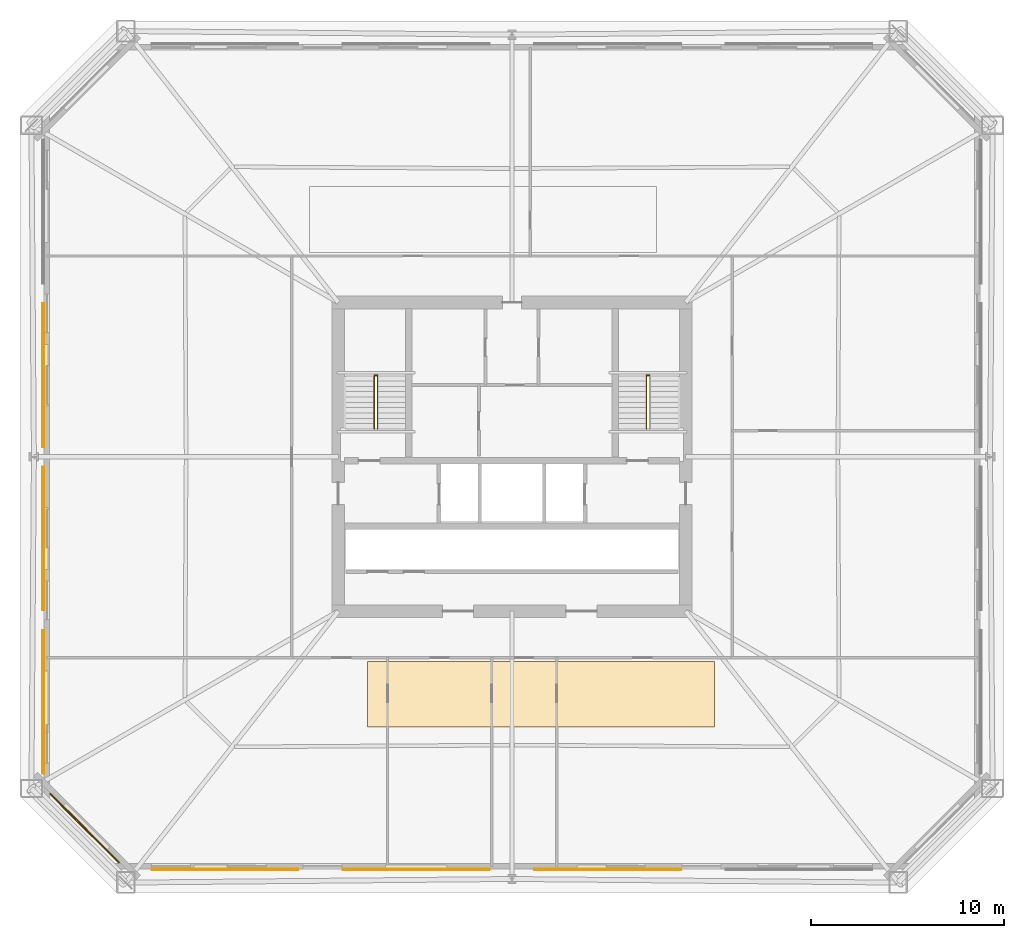
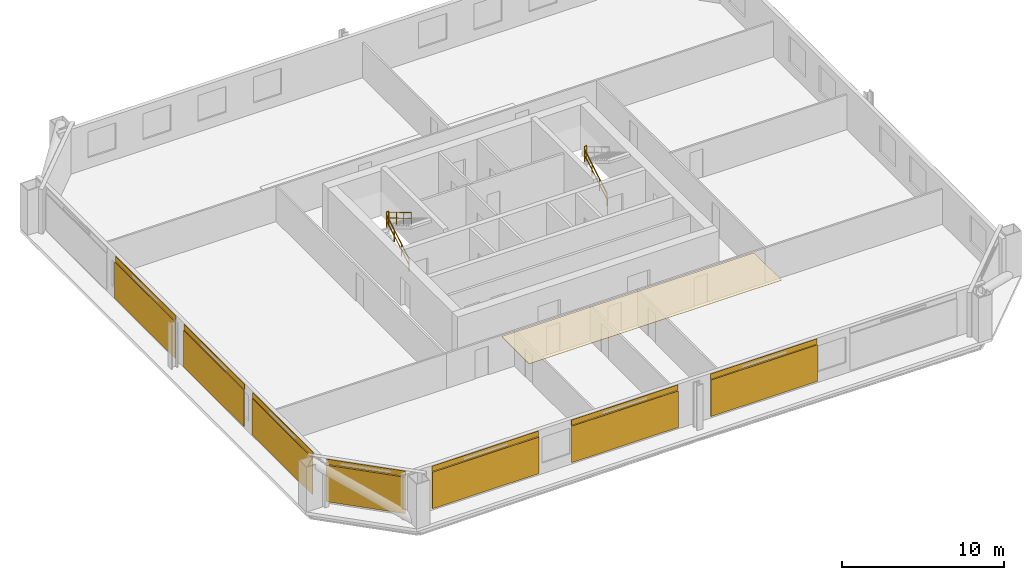
# One storey, part 8 of 9: 8 coverings, 7 shading devices, 5 railings.
"""IFC4 building model written with IfcOpenShell, lengths in metres."""

from ifc_helpers import new_model, si_unit, direction, frame, origin, origin_2d, place, context, subcontext, project, spatial, polyline, rectangle, circle, outline, extrude, material, layer, layer_set, type_object, element, save


model = new_model("IFC4")

# Units and contexts
model_context = context("Model", 3, precision=1e-05, world=origin(), true_north=direction((0.0, 1.0)))
body_context = subcontext(model_context, "Body", "Model", "MODEL_VIEW")
ifc_project = project(units=[si_unit("LENGTHUNIT", "METRE"), si_unit("AREAUNIT", "SQUARE_METRE"), si_unit("VOLUMEUNIT", "CUBIC_METRE"), si_unit("PLANEANGLEUNIT", "RADIAN"), si_unit("MASSUNIT", "GRAM", prefix="KILO")], contexts=[model_context])

# Site, building, storey
site_placement = place(None, origin())
site = spatial("IfcSite", under=ifc_project, at=site_placement, CompositionType="ELEMENT")
building_placement = place(site_placement, origin())
building = spatial("IfcBuilding", under=site, at=building_placement, Name="Caelvoria Tower", CompositionType="ELEMENT")
storey_placement = place(building_placement, frame((0.0, 0.0, 53.199951171875)))
storey = spatial("IfcBuildingStorey", under=building, at=storey_placement, Name="L13", CompositionType="ELEMENT", Elevation=53.199951171875)

# Coverings
ifc_material_1 = material(Name="Acoustic Mineral Fibre Tile", Category="gypsum")
ifc_layer_1 = layer(ifc_material_1, 0.02490234375, Name="Acoustic Mineral Fibre Tile")
ifc_layer_set_1 = layer_set([ifc_layer_1], Name="Mineral-Fibre Acoustic Suspended Ceiling 25 - Acoustic Mineral Fibre Tile")
covering_type_1 = type_object("IfcCoveringType", Name="Mineral-Fibre Acoustic Suspended Ceiling 25", PredefinedType="CEILING", material=ifc_layer_set_1)
covering_1_placement = place(storey_placement, frame((0.0, 0.0, 2.635009765625)))
element("IfcCovering", 1, at=covering_1_placement, inside=storey, type_object=covering_type_1, Name="Suspended Acoustic Ceiling L13", PredefinedType="CEILING", context=body_context, shape_type="SweptSolid", body=[
    extrude(outline(polyline([(38.5, 18.0), (56.5, 18.0), (56.5, 21.39990234375), (38.5, 21.39990234375), (38.5, 18.0)])), origin(), (0.0, 0.0, 1.0), 0.025146484375),
])
ifc_material_2 = material(Name="Perforated Architectural Bronze Cladding Screen", Category="bronze")
ifc_layer_2 = layer(ifc_material_2, 0.0400390625, Name="Perforated Architectural Bronze Cladding Screen")
ifc_layer_set_2 = layer_set([ifc_layer_2], Name="Perforated Bronze Louvre Cladding Band 40 - Perforated Architectural Bronze Cladding Screen")
covering_type_2 = type_object("IfcCoveringType", Name="Perforated Bronze Louvre Cladding Band 40", PredefinedType="CLADDING", material=ifc_layer_set_2)
for number, where, z_axis, x_axis, name in (
    (2, (31.1201171875, 10.6279296875, 2.940185546875), (0.0, 0.0, 1.0), (1.0, 0.0, 0.0), "Perforated Bronze Screen Band L13-E0-00"),
    (3, (41.0400390625, 10.6279296875, 2.940185546875), (0.0, 0.0, 1.0), (1.0, 0.0, 0.0), "Perforated Bronze Screen Band L13-E0-01"),
    (4, (50.9599609375, 10.6279296875, 2.940185546875), (0.0, 0.0, 1.0), (1.0, 0.0, 0.0), "Perforated Bronze Screen Band L13-E0-02"),
):
    element("IfcCovering", number, at=place(storey_placement, frame(where, z_axis=z_axis, x_axis=x_axis)), inside=storey, type_object=covering_type_2, Name=name, PredefinedType="CLADDING", context=body_context, shape_type="SweptSolid", body=[
        extrude(rectangle(XDim=7.60009765625, YDim=0.0400390625, at=origin_2d()), origin(), (0.0, 0.0, 1.0), 0.39990234375),
    ])
for number, where, z_axis, x_axis, name in (
    (5, (21.72802734375, 36.235107421875, 2.940185546875), (0.0, 0.0, 1.0), (0.0, -1.0, 0.0), "Perforated Bronze Screen Band L13-E6-01"),
    (6, (21.72802734375, 27.764892578125, 2.940185546875), (0.0, 0.0, 1.0), (0.0, -1.0, 0.0), "Perforated Bronze Screen Band L13-E6-02"),
    (7, (21.72802734375, 19.294921875, 2.940185546875), (0.0, 0.0, 1.0), (0.0, -1.0, 0.0), "Perforated Bronze Screen Band L13-E6-03"),
):
    element("IfcCovering", number, at=place(storey_placement, frame(where, z_axis=z_axis, x_axis=x_axis)), inside=storey, type_object=covering_type_2, Name=name, PredefinedType="CLADDING", context=body_context, shape_type="SweptSolid", body=[
        extrude(rectangle(XDim=7.45361328125, YDim=0.0400390625, at=origin_2d()), origin(), (0.0, 0.0, 1.0), 0.39990234375),
    ])
covering_2_placement = place(storey_placement, frame((23.868408203125, 12.768310546875, 2.940185546875), z_axis=(0.0, 0.0, 1.0), x_axis=(0.707106781187, -0.707106781187, 0.0)))
element("IfcCovering", 8, at=covering_2_placement, inside=storey, type_object=covering_type_2, Name="Perforated Bronze Screen Band L13-E7-00", PredefinedType="CLADDING", context=body_context, shape_type="SweptSolid", body=[
    extrude(rectangle(XDim=5.060791015625, YDim=0.0400390625, at=origin_2d()), origin(), (0.0, 0.0, 1.0), 0.39990234375),
])

# Shading devices
ifc_material_3 = material(Name="Perforated Architectural Bronze Alloy Panel", Category="bronze")
ifc_layer_3 = layer(ifc_material_3, 0.044921875, Name="Perforated Architectural Bronze Alloy Panel")
ifc_layer_set_3 = layer_set([ifc_layer_3], Name="Perforated Bronze Solar Screen Panel SCREEN - Perforated Architectural Bronze Alloy Panel")
shading_device_type = type_object("IfcShadingDeviceType", Name="Perforated Bronze Solar Screen Panel SCREEN", PredefinedType="USERDEFINED", material=ifc_layer_set_3)
for number, where, z_axis, x_axis, name in (
    (9, (31.1201171875, 10.5849609375, 0.16015625), (0.0, 0.0, 1.0), (1.0, 0.0, 0.0), "Perforated Bronze Solar Screen L13-E0-00"),
    (10, (41.0400390625, 10.5849609375, 0.16015625), (0.0, 0.0, 1.0), (1.0, 0.0, 0.0), "Perforated Bronze Solar Screen L13-E0-01"),
    (11, (50.9599609375, 10.5849609375, 0.16015625), (0.0, 0.0, 1.0), (1.0, 0.0, 0.0), "Perforated Bronze Solar Screen L13-E0-02"),
):
    element("IfcShadingDevice", number, at=place(storey_placement, frame(where, z_axis=z_axis, x_axis=x_axis)), inside=storey, type_object=shading_device_type, Name=name, ObjectType="SCREEN", PredefinedType="USERDEFINED", context=body_context, shape_type="SweptSolid", body=[
        extrude(rectangle(XDim=7.60009765625, YDim=0.044921875, at=origin_2d()), origin(), (0.0, 0.0, 1.0), 2.75),
    ])
for number, where, z_axis, x_axis, name in (
    (12, (21.68505859375, 36.235107421875, 0.16015625), (0.0, 0.0, 1.0), (0.0, -1.0, 0.0), "Perforated Bronze Solar Screen L13-E6-01"),
    (13, (21.68505859375, 27.764892578125, 0.16015625), (0.0, 0.0, 1.0), (0.0, -1.0, 0.0), "Perforated Bronze Solar Screen L13-E6-02"),
    (14, (21.68505859375, 19.294921875, 0.16015625), (0.0, 0.0, 1.0), (0.0, -1.0, 0.0), "Perforated Bronze Solar Screen L13-E6-03"),
):
    element("IfcShadingDevice", number, at=place(storey_placement, frame(where, z_axis=z_axis, x_axis=x_axis)), inside=storey, type_object=shading_device_type, Name=name, ObjectType="SCREEN", PredefinedType="USERDEFINED", context=body_context, shape_type="SweptSolid", body=[
        extrude(rectangle(XDim=7.45361328125, YDim=0.044921875, at=origin_2d()), origin(), (0.0, 0.0, 1.0), 2.75),
    ])
shading_device_placement = place(storey_placement, frame((23.837890625, 12.73779296875, 0.16015625), z_axis=(0.0, 0.0, 1.0), x_axis=(0.707106781187, -0.707106781187, 0.0)))
element("IfcShadingDevice", 15, at=shading_device_placement, inside=storey, type_object=shading_device_type, Name="Perforated Bronze Solar Screen L13-E7-00", ObjectType="SCREEN", PredefinedType="USERDEFINED", context=body_context, shape_type="SweptSolid", body=[
    extrude(rectangle(XDim=5.060791015625, YDim=0.044921875, at=origin_2d()), origin(), (0.0, 0.0, 1.0), 2.75),
])

# Railings
ifc_material_4 = material(Name="Brushed Stainless Steel Tube", Category="steel")
railing_type_1 = type_object("IfcRailingType", Name="Stair Tubular Stainless Handrail 920", PredefinedType="HANDRAIL", material=ifc_material_4)
railing_1_placement = place(storey_placement, frame((38.8701171875, 33.449951171875, 0.16357421875)))
element("IfcRailing", 16, at=railing_1_placement, inside=storey, type_object=railing_type_1, Name="ST-01 Flight 1 Handrail L13", PredefinedType="HANDRAIL", context=body_context, shape_type="SweptSolid", body=[
    extrude(circle(Radius=0.02392578125, at=origin_2d()), frame((0.0, 0.0, 0.89599609375), z_axis=(0.0, 0.859351957796, 0.511384603436), x_axis=(-1.0, 0.0, 0.0)), (0.0, 0.0, 1.0), 3.2001953125),
    extrude(circle(Radius=0.02392578125, at=origin_2d()), frame((0.0, 0.0, 0.4599609375), z_axis=(0.0, 0.859351957796, 0.511384603436), x_axis=(-1.0, 0.0, 0.0)), (0.0, 0.0, 1.0), 3.2001953125),
    extrude(circle(Radius=0.02099609375, at=origin_2d()), origin(), (0.0, 0.0, 1.0), 0.871826171875),
    extrude(circle(Radius=0.02099609375, at=origin_2d()), frame((0.0, 0.916748046875, 0.54541015625)), (0.0, 0.0, 1.0), 0.871826171875),
    extrude(circle(Radius=0.02099609375, at=origin_2d()), frame((0.0, 1.833251953125, 1.091064453125)), (0.0, 0.0, 1.0), 0.871826171875),
    extrude(circle(Radius=0.02099609375, at=origin_2d()), frame((0.0, 2.75, 1.636474609375)), (0.0, 0.0, 1.0), 0.871826171875),
])
railing_2_placement = place(storey_placement, frame((39.030029296875, 36.199951171875, 1.963623046875)))
element("IfcRailing", 17, at=railing_2_placement, inside=storey, type_object=railing_type_1, Name="ST-01 Flight 2 Handrail L13", PredefinedType="HANDRAIL", context=body_context, shape_type="SweptSolid", body=[
    extrude(circle(Radius=0.02392578125, at=origin_2d()), frame((0.0, 0.0, 0.89599609375), z_axis=(0.0, -0.859351957796, 0.511384603436), x_axis=(1.0, 0.0, 0.0)), (0.0, 0.0, 1.0), 3.2001953125),
    extrude(circle(Radius=0.02392578125, at=origin_2d()), frame((0.0, 0.0, 0.4599609375), z_axis=(0.0, -0.859351957796, 0.511384603436), x_axis=(1.0, 0.0, 0.0)), (0.0, 0.0, 1.0), 3.2001953125),
    extrude(circle(Radius=0.02099609375, at=origin_2d()), origin(), (0.0, 0.0, 1.0), 0.871826171875),
    extrude(circle(Radius=0.02099609375, at=origin_2d()), frame((0.0, -0.916748046875, 0.54541015625)), (0.0, 0.0, 1.0), 0.871826171875),
    extrude(circle(Radius=0.02099609375, at=origin_2d()), frame((0.0, -1.833251953125, 1.091064453125)), (0.0, 0.0, 1.0), 0.871826171875),
    extrude(circle(Radius=0.02099609375, at=origin_2d()), frame((0.0, -2.75, 1.636474609375)), (0.0, 0.0, 1.0), 0.871826171875),
])
railing_3_placement = place(storey_placement, frame((52.969970703125, 33.449951171875, 0.16357421875)))
element("IfcRailing", 18, at=railing_3_placement, inside=storey, type_object=railing_type_1, Name="ST-02 Flight 1 Handrail L13", PredefinedType="HANDRAIL", context=body_context, shape_type="SweptSolid", body=[
    extrude(circle(Radius=0.02392578125, at=origin_2d()), frame((0.0, 0.0, 0.89599609375), z_axis=(0.0, 0.859351957796, 0.511384603436), x_axis=(-1.0, 0.0, 0.0)), (0.0, 0.0, 1.0), 3.2001953125),
    extrude(circle(Radius=0.02392578125, at=origin_2d()), frame((0.0, 0.0, 0.4599609375), z_axis=(0.0, 0.859351957796, 0.511384603436), x_axis=(-1.0, 0.0, 0.0)), (0.0, 0.0, 1.0), 3.2001953125),
    extrude(circle(Radius=0.02099609375, at=origin_2d()), origin(), (0.0, 0.0, 1.0), 0.871826171875),
    extrude(circle(Radius=0.02099609375, at=origin_2d()), frame((0.0, 0.916748046875, 0.54541015625)), (0.0, 0.0, 1.0), 0.871826171875),
    extrude(circle(Radius=0.02099609375, at=origin_2d()), frame((0.0, 1.833251953125, 1.091064453125)), (0.0, 0.0, 1.0), 0.871826171875),
    extrude(circle(Radius=0.02099609375, at=origin_2d()), frame((0.0, 2.75, 1.636474609375)), (0.0, 0.0, 1.0), 0.871826171875),
])
ifc_material_5 = material(Name="Brushed Stainless Steel Guardrail", Category="steel")
railing_type_2 = type_object("IfcRailingType", Name="Stair Well and Ramp Guardrail 1120", PredefinedType="GUARDRAIL", material=ifc_material_5)
for number, where, name in (
    (19, (38.8701171875, 36.239990234375, 1.800048828125), "ST-01 Half-Landing Well Guard L13"),
    (20, (52.969970703125, 36.239990234375, 1.800048828125), "ST-02 Half-Landing Well Guard L13"),
):
    element("IfcRailing", number, at=place(storey_placement, frame(where)), inside=storey, type_object=railing_type_2, Name=name, PredefinedType="GUARDRAIL", context=body_context, shape_type="SweptSolid", body=[
        extrude(circle(Radius=0.02392578125, at=origin_2d()), frame((0.0, 0.0, 1.09619140625), z_axis=(1.0, 0.0, 0.0), x_axis=(0.0, 1.0, 0.0)), (0.0, 0.0, 1.0), 0.159912109375),
        extrude(circle(Radius=0.02392578125, at=origin_2d()), frame((0.0, 0.0, 0.56005859375), z_axis=(1.0, 0.0, 0.0), x_axis=(0.0, 1.0, 0.0)), (0.0, 0.0, 1.0), 0.159912109375),
        extrude(circle(Radius=0.02099609375, at=origin_2d()), origin(), (0.0, 0.0, 1.0), 1.072021484375),
        extrude(circle(Radius=0.02099609375, at=origin_2d()), frame((0.159912109375, 0.0, 0.0)), (0.0, 0.0, 1.0), 1.072021484375),
    ])

save(model, "model.ifc")
